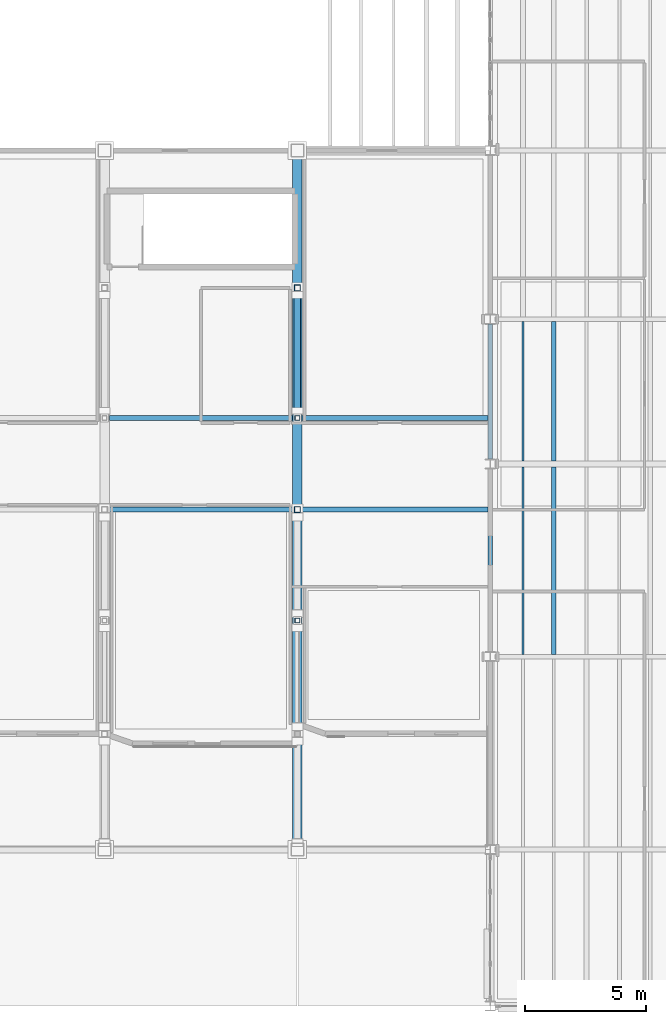
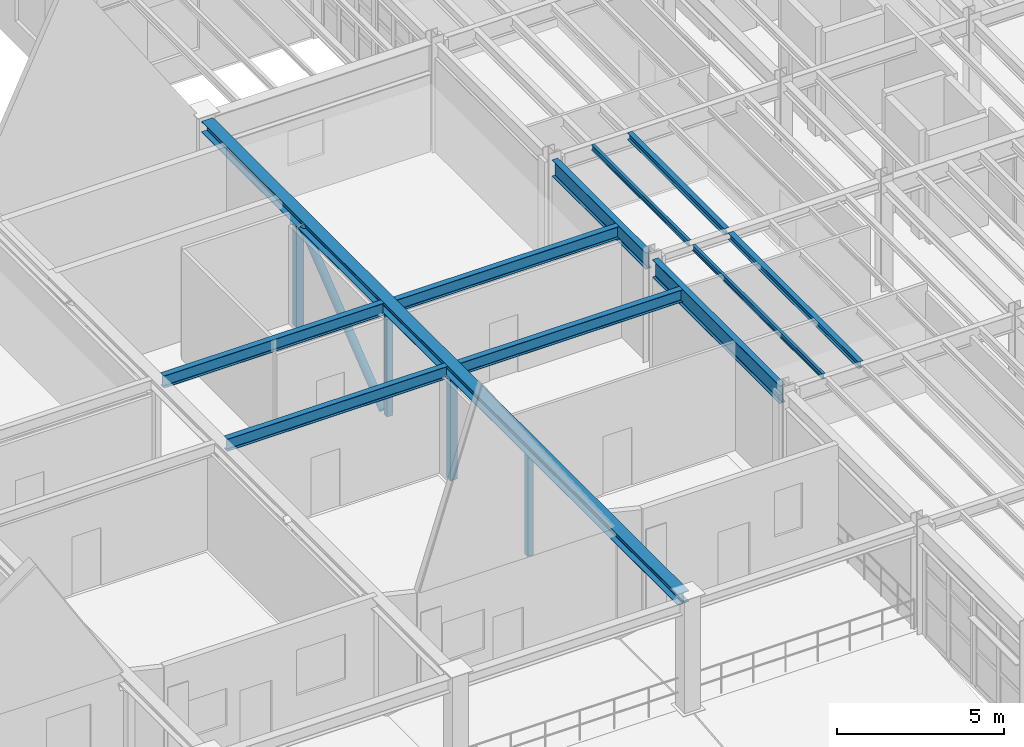
# One storey, part 37 of 78: 11 beams, 5 members.
"""IFC4 building model written with IfcOpenShell, lengths in metres."""

from ifc_helpers import new_model, si_unit, direction, frame, origin, origin_2d, place, context, subcontext, project, spatial, hollow_rectangle, hollow_circle, i_section, extrude, material, material_profile, profile_set, type_object, element, save


model = new_model("IFC4")

# Units and contexts
model_context = context("Model", 3, precision=1e-05, world=origin(), true_north=direction((0.0, 1.0)))
body_context = subcontext(model_context, "Body", "Model", "MODEL_VIEW")
ifc_project = project(units=[si_unit("LENGTHUNIT", "METRE"), si_unit("AREAUNIT", "SQUARE_METRE"), si_unit("VOLUMEUNIT", "CUBIC_METRE"), si_unit("PLANEANGLEUNIT", "RADIAN"), si_unit("MASSUNIT", "GRAM", prefix="KILO"), si_unit("THERMODYNAMICTEMPERATUREUNIT", "KELVIN"), si_unit("POWERUNIT", "WATT")], contexts=[model_context])

# Site, building, storey
site_placement = place(None, origin())
site = spatial("IfcSite", under=ifc_project, at=site_placement, CompositionType="ELEMENT")
building_placement = place(site_placement, origin())
building = spatial("IfcBuilding", under=site, at=building_placement, Name="Zhenchuan Central Fire Station", CompositionType="ELEMENT")
storey_placement = place(building_placement, frame((0.0, 0.0, 5.85009765625)))
storey = spatial("IfcBuildingStorey", under=building, at=storey_placement, Name="L02", CompositionType="ELEMENT", Elevation=5.85009765625)

# Beams
ifc_material = material(Name="Steel Q355B", Category="steel")
ifc_material_profile_1 = material_profile(ifc_material, i_section(OverallWidth=0.199951171875, OverallDepth=0.449951171875, WebThickness=0.009033203125, FlangeThickness=0.013916015625, FilletRadius=0.01806640625, at=origin_2d()), Name="HN 450x200")
ifc_profile_set_1 = profile_set([ifc_material_profile_1], Name="Steel Q355B")
beam_type_1 = type_object("IfcBeamType", Name="BM-HN450", PredefinedType="BEAM", material=ifc_profile_set_1)
for number, where, z_axis, x_axis, name in (
    (1, (124.197021484375, 20.60009765625, 3.77490234375), (1.0, 0.0, 0.0), (0.0, 1.0, 0.0), "Pavilion Corridor Tie Girder 0556"),
    (2, (124.197021484375, 24.39990234375, 3.77490234375), (1.0, 0.0, 0.0), (0.0, 1.0, 0.0), "Pavilion Corridor Tie Girder 0557"),
):
    element("IfcBeam", number, at=place(storey_placement, frame(where, z_axis=z_axis, x_axis=x_axis)), inside=storey, type_object=beam_type_1, Name=name, PredefinedType="BEAM", context=body_context, shape_type="SweptSolid", body=[
        extrude(i_section(OverallWidth=0.199951171875, OverallDepth=0.449951171875, WebThickness=0.009033203125, FlangeThickness=0.013916015625, FilletRadius=0.01806640625, at=origin_2d()), origin(), (0.0, 0.0, 1.0), 7.60595703125),
    ])
for number, where, z_axis, x_axis, name in (
    (3, (132.197021484375, 20.60009765625, 3.73291015625), (1.0, 0.0, 0.0), (0.0, 1.0, 0.0), "Pavilion Corridor Tie Girder 0558"),
    (4, (132.197021484375, 24.39990234375, 3.73291015625), (1.0, 0.0, 0.0), (0.0, 1.0, 0.0), "Pavilion Corridor Tie Girder 0559"),
):
    element("IfcBeam", number, at=place(storey_placement, frame(where, z_axis=z_axis, x_axis=x_axis)), inside=storey, type_object=beam_type_1, Name=name, PredefinedType="BEAM", context=body_context, shape_type="SweptSolid", body=[
        extrude(i_section(OverallWidth=0.199951171875, OverallDepth=0.449951171875, WebThickness=0.009033203125, FlangeThickness=0.013916015625, FilletRadius=0.01806640625, at=origin_2d()), origin(), (0.0, 0.0, 1.0), 7.7060546875),
    ])
ifc_material_profile_2 = material_profile(ifc_material, i_section(OverallWidth=0.199951171875, OverallDepth=0.60009765625, WebThickness=0.010986328125, FlangeThickness=0.01708984375, FilletRadius=0.02197265625, at=origin_2d()), Name="HN 600x200")
ifc_profile_set_2 = profile_set([ifc_material_profile_2], Name="Steel Q355B")
beam_type_2 = type_object("IfcBeamType", Name="BM-HN600-INT", PredefinedType="BEAM", material=ifc_profile_set_2)
beam_1_placement = place(storey_placement, frame((140.0, 22.699951171875, 3.659912109375), z_axis=(0.0, 1.0, 0.0), x_axis=(-1.0, 0.0, 0.0)))
element("IfcBeam", 5, at=beam_1_placement, inside=storey, type_object=beam_type_2, Name="L03 Girder NS 0321", PredefinedType="BEAM", context=body_context, shape_type="SweptSolid", body=[
    extrude(i_section(OverallWidth=0.199951171875, OverallDepth=0.60009765625, WebThickness=0.010986328125, FlangeThickness=0.01708984375, FilletRadius=0.02197265625, at=origin_2d()), origin(), (0.0, 0.0, 1.0), 5.60009765625),
])
ifc_material_profile_3 = material_profile(ifc_material, i_section(OverallWidth=0.199951171875, OverallDepth=0.64990234375, WebThickness=0.011962890625, FlangeThickness=0.02001953125, FilletRadius=0.02197265625, at=origin_2d()), Name="HN 650x200")
ifc_profile_set_3 = profile_set([ifc_material_profile_3], Name="Steel Q355B")
beam_type_3 = type_object("IfcBeamType", Name="BM-HN650", PredefinedType="BEAM", material=ifc_profile_set_3)
beam_2_placement = place(storey_placement, frame((140.0, 14.699951171875, 3.635009765625), z_axis=(0.0, 1.0, 0.0), x_axis=(-1.0, 0.0, 0.0)))
element("IfcBeam", 6, at=beam_2_placement, inside=storey, type_object=beam_type_3, Name="L03 Girder NS 0320", PredefinedType="BEAM", context=body_context, shape_type="SweptSolid", body=[
    extrude(i_section(OverallWidth=0.199951171875, OverallDepth=0.64990234375, WebThickness=0.011962890625, FlangeThickness=0.02001953125, FilletRadius=0.02197265625, at=origin_2d()), origin(), (0.0, 0.0, 1.0), 7.60009765625),
])
ifc_material_profile_4 = material_profile(ifc_material, i_section(OverallWidth=0.39990234375, OverallDepth=0.39990234375, WebThickness=0.012939453125, FlangeThickness=0.02099609375, FilletRadius=0.02197265625, at=origin_2d()), Name="HW 400x400")
ifc_profile_set_4 = profile_set([ifc_material_profile_4], Name="Steel Q355B")
beam_type_4 = type_object("IfcBeamType", Name="BM-HW400-INT", PredefinedType="BEAM", material=ifc_profile_set_4)
beam_3_placement = place(storey_placement, frame((132.0, 6.77490234375, 3.7998046875), z_axis=(0.0, 1.0, 0.0), x_axis=(-1.0, 0.0, 0.0)))
element("IfcBeam", 7, at=beam_3_placement, inside=storey, type_object=beam_type_4, Name="Pratt Transfer Truss TT-10 Top Chord", PredefinedType="BEAM", context=body_context, shape_type="SweptSolid", body=[
    extrude(i_section(OverallWidth=0.39990234375, OverallDepth=0.39990234375, WebThickness=0.012939453125, FlangeThickness=0.02099609375, FilletRadius=0.02197265625, at=origin_2d()), origin(), (0.0, 0.0, 1.0), 28.4501953125),
])
ifc_material_profile_5 = material_profile(ifc_material, i_section(OverallWidth=0.175048828125, OverallDepth=0.243896484375, WebThickness=0.007080078125, FlangeThickness=0.010986328125, FilletRadius=0.012939453125, at=origin_2d()), Name="HM 244x175")
ifc_profile_set_5 = profile_set([ifc_material_profile_5], Name="Steel Q355B")
beam_type_5 = type_object("IfcBeamType", Name="JS-HM244", PredefinedType="JOIST", material=ifc_profile_set_5)
beam_4_placement = place(storey_placement, frame((142.639892578125, 14.596923828125, 3.837890625), z_axis=(0.0, 1.0, 0.0), x_axis=(-1.0, 0.0, 0.0)))
element("IfcBeam", 8, at=beam_4_placement, inside=storey, type_object=beam_type_5, Name="L03 Secondary Joist 0381", PredefinedType="JOIST", context=body_context, shape_type="SweptSolid", body=[
    extrude(i_section(OverallWidth=0.175048828125, OverallDepth=0.243896484375, WebThickness=0.007080078125, FlangeThickness=0.010986328125, FilletRadius=0.012939453125, at=origin_2d()), origin(), (0.0, 0.0, 1.0), 7.781005859375),
])
beam_5_placement = place(storey_placement, frame((142.639892578125, 22.6220703125, 3.837890625), z_axis=(0.0, 1.0, 0.0), x_axis=(-1.0, 0.0, 0.0)))
element("IfcBeam", 9, at=beam_5_placement, inside=storey, type_object=beam_type_5, Name="L03 Secondary Joist 0411", PredefinedType="JOIST", context=body_context, shape_type="SweptSolid", body=[
    extrude(i_section(OverallWidth=0.175048828125, OverallDepth=0.243896484375, WebThickness=0.007080078125, FlangeThickness=0.010986328125, FilletRadius=0.012939453125, at=origin_2d()), origin(), (0.0, 0.0, 1.0), 5.781005859375),
])
ifc_material_profile_6 = material_profile(ifc_material, i_section(OverallWidth=0.10009765625, OverallDepth=0.199951171875, WebThickness=0.005615234375, FlangeThickness=0.008056640625, FilletRadius=0.010986328125, at=origin_2d()), Name="HN 200x100")
ifc_profile_set_6 = profile_set([ifc_material_profile_6], Name="Steel Q355B")
beam_type_6 = type_object("IfcBeamType", Name="JS-HN200", PredefinedType="JOIST", material=ifc_profile_set_6)
beam_6_placement = place(storey_placement, frame((141.360107421875, 14.596923828125, 3.85986328125), z_axis=(0.0, 1.0, 0.0), x_axis=(-1.0, 0.0, 0.0)))
element("IfcBeam", 10, at=beam_6_placement, inside=storey, type_object=beam_type_6, Name="L03 Secondary Joist 0380", PredefinedType="JOIST", context=body_context, shape_type="SweptSolid", body=[
    extrude(i_section(OverallWidth=0.10009765625, OverallDepth=0.199951171875, WebThickness=0.005615234375, FlangeThickness=0.008056640625, FilletRadius=0.010986328125, at=origin_2d()), origin(), (0.0, 0.0, 1.0), 7.781005859375),
])
beam_7_placement = place(storey_placement, frame((141.360107421875, 22.6220703125, 3.85986328125), z_axis=(0.0, 1.0, 0.0), x_axis=(-1.0, 0.0, 0.0)))
element("IfcBeam", 11, at=beam_7_placement, inside=storey, type_object=beam_type_6, Name="L03 Secondary Joist 0410", PredefinedType="JOIST", context=body_context, shape_type="SweptSolid", body=[
    extrude(i_section(OverallWidth=0.10009765625, OverallDepth=0.199951171875, WebThickness=0.005615234375, FlangeThickness=0.008056640625, FilletRadius=0.010986328125, at=origin_2d()), origin(), (0.0, 0.0, 1.0), 5.781005859375),
])

# Members
ifc_material_profile_7 = material_profile(ifc_material, hollow_circle(Radius=0.136474609375, WallThickness=0.011962890625, at=origin_2d()), Name="CHS 273x12")
ifc_profile_set_7 = profile_set([ifc_material_profile_7], Name="Steel Q355B")
member_type_1 = type_object("IfcMemberType", Name="MB-BR-CHS273", PredefinedType="BRACE", material=ifc_profile_set_7)
member_placement = place(storey_placement, frame((132.0, 24.699951171875, -0.2001953125), z_axis=(0.0, 0.784045015832, 0.620703965791), x_axis=(-1.0, 0.0, 0.0)))
element("IfcMember", 12, at=member_placement, inside=storey, type_object=member_type_1, Name="Transfer Truss TT-10 Web Diagonal 5", PredefinedType="BRACE", context=body_context, shape_type="SweptSolid", body=[
    extrude(hollow_circle(Radius=0.136474609375, WallThickness=0.011962890625, at=origin_2d()), origin(), (0.0, 0.0, 1.0), 6.1220703125),
])
ifc_material_profile_8 = material_profile(ifc_material, hollow_rectangle(XDim=0.199951171875, YDim=0.199951171875, WallThickness=0.010009765625, at=origin_2d()), Name="SHS 200x200x10")
ifc_profile_set_8 = profile_set([ifc_material_profile_8], Name="Steel Q355B")
member_type_2 = type_object("IfcMemberType", Name="MB-CH-SHS200", PredefinedType="CHORD", material=ifc_profile_set_8)
for number, where, z_axis, x_axis, name in (
    (13, (132.0, 16.0, -0.2001953125), (0.0, 0.0, 1.0), (1.0, 0.0, 0.0), "Transfer Truss TT-10 Web Post 2"),
    (14, (132.0, 24.39990234375, -0.2001953125), (0.0, 0.0, 1.0), (1.0, 0.0, 0.0), "Transfer Truss TT-10 Web Post 4"),
):
    element("IfcMember", number, at=place(storey_placement, frame(where, z_axis=z_axis, x_axis=x_axis)), inside=storey, type_object=member_type_2, Name=name, PredefinedType="CHORD", context=body_context, shape_type="SweptSolid", body=[
        extrude(hollow_rectangle(XDim=0.199951171875, YDim=0.199951171875, WallThickness=0.010009765625, at=origin_2d()), origin(), (0.0, 0.0, 1.0), 3.800048828125),
    ])
ifc_material_profile_9 = material_profile(ifc_material, hollow_rectangle(XDim=0.25, YDim=0.25, WallThickness=0.011962890625, at=origin_2d()), Name="SHS 250x250x12")
ifc_profile_set_9 = profile_set([ifc_material_profile_9], Name="Steel Q355B")
member_type_3 = type_object("IfcMemberType", Name="MB-CH-SHS250", PredefinedType="CHORD", material=ifc_profile_set_9)
for number, where, z_axis, x_axis, name in (
    (15, (132.0, 20.60009765625, -0.2001953125), (0.0, 0.0, 1.0), (1.0, 0.0, 0.0), "Transfer Truss TT-10 Web Post 3"),
    (16, (132.0, 29.800048828125, -0.2001953125), (0.0, 0.0, 1.0), (1.0, 0.0, 0.0), "Transfer Truss TT-10 Web Post 5"),
):
    element("IfcMember", number, at=place(storey_placement, frame(where, z_axis=z_axis, x_axis=x_axis)), inside=storey, type_object=member_type_3, Name=name, PredefinedType="CHORD", context=body_context, shape_type="SweptSolid", body=[
        extrude(hollow_rectangle(XDim=0.25, YDim=0.25, WallThickness=0.011962890625, at=origin_2d()), origin(), (0.0, 0.0, 1.0), 3.800048828125),
    ])

save(model, "model.ifc")
